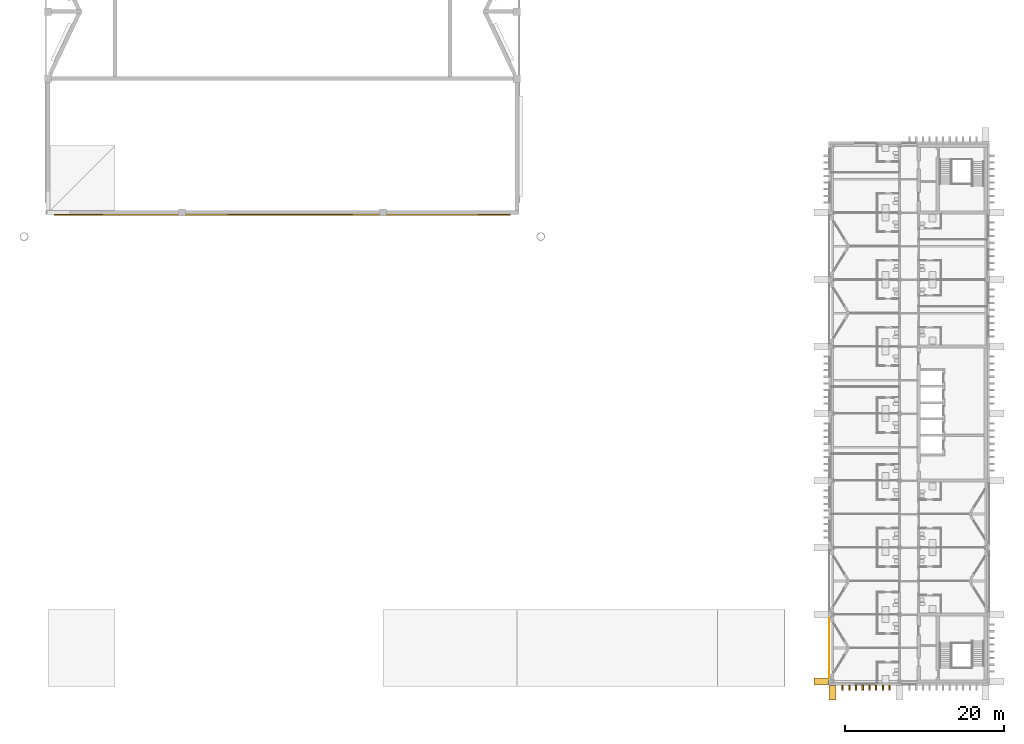
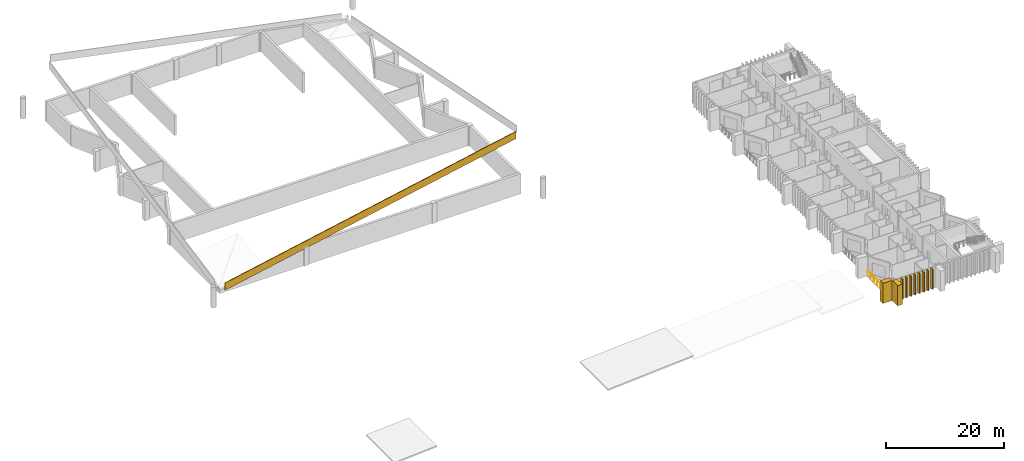
# One storey, part 17 of 21: 11 coverings, 1 railing.
"""IFC4 building model written with IfcOpenShell, lengths in metres."""

from ifc_helpers import new_model, si_unit, direction, frame, origin, origin_2d, place, context, subcontext, project, spatial, polyline, rectangle, circle, outline, extrude, material, type_object, element, save


model = new_model("IFC4")

# Units and contexts
model_context = context("Model", 3, precision=1e-05, world=origin(), true_north=direction((0.0, 1.0)))
body_context = subcontext(model_context, "Body", "Model", "MODEL_VIEW")
ifc_project = project(units=[si_unit("LENGTHUNIT", "METRE"), si_unit("AREAUNIT", "SQUARE_METRE"), si_unit("VOLUMEUNIT", "CUBIC_METRE"), si_unit("PLANEANGLEUNIT", "RADIAN"), si_unit("MASSUNIT", "GRAM", prefix="KILO")], contexts=[model_context])

# Site, building, storey
site_placement = place(None, origin())
site = spatial("IfcSite", under=ifc_project, at=site_placement, CompositionType="ELEMENT")
building_placement = place(site_placement, origin())
building = spatial("IfcBuilding", under=site, at=building_placement, Name="Cresset Court Congress Hotel", CompositionType="ELEMENT")
storey_placement = place(building_placement, frame((0.0, 0.0, 22.800048828125)))
storey = spatial("IfcBuildingStorey", under=building, at=storey_placement, Name="L05", CompositionType="ELEMENT", Elevation=22.800048828125)

# Coverings
ifc_material_1 = material(Name="Precast concrete C50", Category="concrete")
covering_type_1 = type_object("IfcCoveringType", Name="Precast eaves fascia 150x1500", PredefinedType="CLADDING", material=ifc_material_1)
covering_1_placement = place(storey_placement, frame((0.0, 58.52490234375, -22.800048828125)))
element("IfcCovering", 1, at=covering_1_placement, inside=storey, type_object=covering_type_1, Name="Eaves fascia C-S", PredefinedType="CLADDING", context=body_context, shape_type="SweptSolid", body=[
    extrude(outline(polyline([(59.60009765625, 23.18505859375), (116.800048828125, 34.6640625), (116.800048828125, 36.1640625), (59.60009765625, 24.68505859375), (59.60009765625, 23.18505859375)])), frame((0.0, 0.074951171875, 0.0), z_axis=(0.0, -1.0, 0.0), x_axis=(1.0, 0.0, 0.0)), (0.0, 0.0, 1.0), 0.14990234375),
])
ifc_material_2 = material(Name="Precast concrete C50", Category="concrete")
covering_type_2 = type_object("IfcCoveringType", Name="Precast stone fin 200x600", PredefinedType="CLADDING", material=ifc_material_2)
for number, where, z_axis, x_axis, name in (
    (2, (158.4599609375, -0.800048828125, 0.0), (0.0, 0.0, 1.0), (1.0, 0.0, 0.0), "Fin S002"),
    (3, (159.300048828125, -0.800048828125, 0.0), (0.0, 0.0, 1.0), (1.0, 0.0, 0.0), "Fin S003"),
    (4, (160.139892578125, -0.800048828125, 0.0), (0.0, 0.0, 1.0), (1.0, 0.0, 0.0), "Fin S004"),
    (5, (160.97998046875, -0.800048828125, 0.0), (0.0, 0.0, 1.0), (1.0, 0.0, 0.0), "Fin S005"),
    (6, (161.820068359375, -0.800048828125, 0.0), (0.0, 0.0, 1.0), (1.0, 0.0, 0.0), "Fin S006"),
    (7, (162.659912109375, -0.800048828125, 0.0), (0.0, 0.0, 1.0), (1.0, 0.0, 0.0), "Fin S007"),
    (8, (163.5, -0.800048828125, 0.0), (0.0, 0.0, 1.0), (1.0, 0.0, 0.0), "Fin S008"),
    (9, (164.340087890625, -0.800048828125, 0.0), (0.0, 0.0, 1.0), (1.0, 0.0, 0.0), "Fin S009"),
):
    element("IfcCovering", number, at=place(storey_placement, frame(where, z_axis=z_axis, x_axis=x_axis)), inside=storey, type_object=covering_type_2, Name=name, PredefinedType="CLADDING", context=body_context, shape_type="SweptSolid", body=[
        extrude(rectangle(XDim=0.199951171875, YDim=0.60009765625, at=origin_2d()), origin(), (0.0, 0.0, 1.0), 4.199951171875),
    ])
ifc_material_3 = material(Name="Precast concrete C50", Category="concrete")
covering_type_3 = type_object("IfcCoveringType", Name="Precast stone pier 900x1800", PredefinedType="CLADDING", material=ifc_material_3)
covering_2_placement = place(storey_placement, frame((155.800048828125, 0.0, 0.0), z_axis=(0.0, 0.0, 1.0), x_axis=(1.0, 0.0, 0.0)))
element("IfcCovering", 10, at=covering_2_placement, inside=storey, type_object=covering_type_3, Name="Pier W01", PredefinedType="CLADDING", context=body_context, shape_type="SweptSolid", body=[
    extrude(rectangle(XDim=1.800048828125, YDim=0.89990234375, at=origin_2d()), origin(), (0.0, 0.0, 1.0), 4.199951171875),
])
covering_3_placement = place(storey_placement, frame((157.199951171875, -1.39990234375, 0.0), z_axis=(0.0, 0.0, 1.0), x_axis=(1.0, 0.0, 0.0)))
element("IfcCovering", 11, at=covering_3_placement, inside=storey, type_object=covering_type_3, Name="Pier S01", PredefinedType="CLADDING", context=body_context, shape_type="SweptSolid", body=[
    extrude(rectangle(XDim=0.89990234375, YDim=1.800048828125, at=origin_2d()), origin(), (0.0, 0.0, 1.0), 4.199951171875),
])

# Railing
ifc_material_4 = material(Name="Stainless steel", Category="steel")
railing_type = type_object("IfcRailingType", Name="Slot ledge guard 1100", PredefinedType="GUARDRAIL", material=ifc_material_4)
railing_placement = place(storey_placement, frame((156.780029296875, 0.35009765625, 0.0)))
element("IfcRailing", 12, at=railing_placement, inside=storey, type_object=railing_type, Name="Slot guard W1 L05", PredefinedType="GUARDRAIL", context=body_context, shape_type="SweptSolid", body=[
    extrude(circle(Radius=0.02392578125, at=origin_2d()), frame((0.0, 0.0, 1.076171875), z_axis=(0.0, 1.0, 0.0), x_axis=(-1.0, 0.0, 0.0)), (0.0, 0.0, 1.0), 7.699951171875),
    extrude(circle(Radius=0.02099609375, at=origin_2d()), origin(), (0.0, 0.0, 1.0), 1.052001953125),
    extrude(circle(Radius=0.02099609375, at=origin_2d()), frame((0.0, 1.10009765625, 0.0)), (0.0, 0.0, 1.0), 1.052001953125),
    extrude(circle(Radius=0.02099609375, at=origin_2d()), frame((0.0, 2.199951171875, 0.0)), (0.0, 0.0, 1.0), 1.052001953125),
    extrude(circle(Radius=0.02099609375, at=origin_2d()), frame((0.0, 3.300048828125, 0.0)), (0.0, 0.0, 1.0), 1.052001953125),
    extrude(circle(Radius=0.02099609375, at=origin_2d()), frame((0.0, 4.39990234375, 0.0)), (0.0, 0.0, 1.0), 1.052001953125),
    extrude(circle(Radius=0.02099609375, at=origin_2d()), frame((0.0, 5.5, 0.0)), (0.0, 0.0, 1.0), 1.052001953125),
    extrude(circle(Radius=0.02099609375, at=origin_2d()), frame((0.0, 6.599853515625, 0.0)), (0.0, 0.0, 1.0), 1.052001953125),
    extrude(circle(Radius=0.02099609375, at=origin_2d()), frame((0.0, 7.699951171875, 0.0)), (0.0, 0.0, 1.0), 1.052001953125),
])

save(model, "model.ifc")
